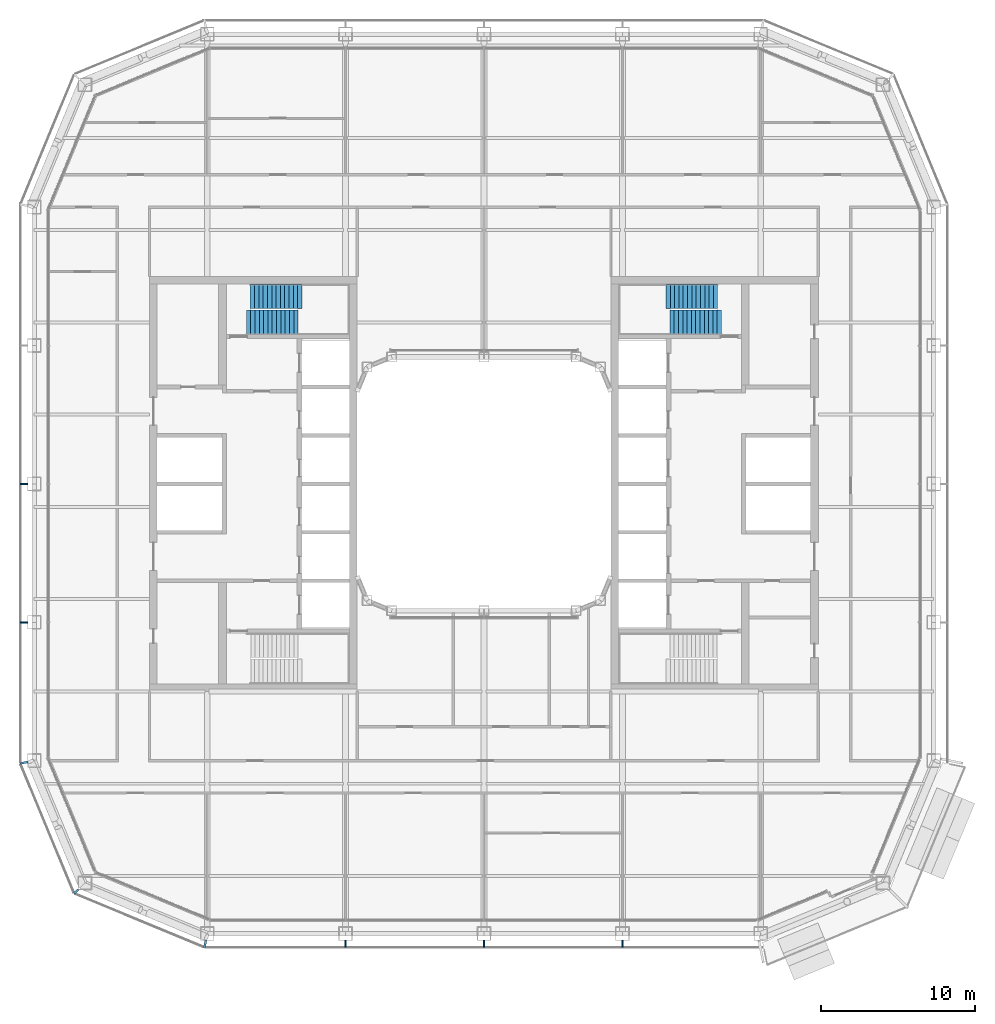
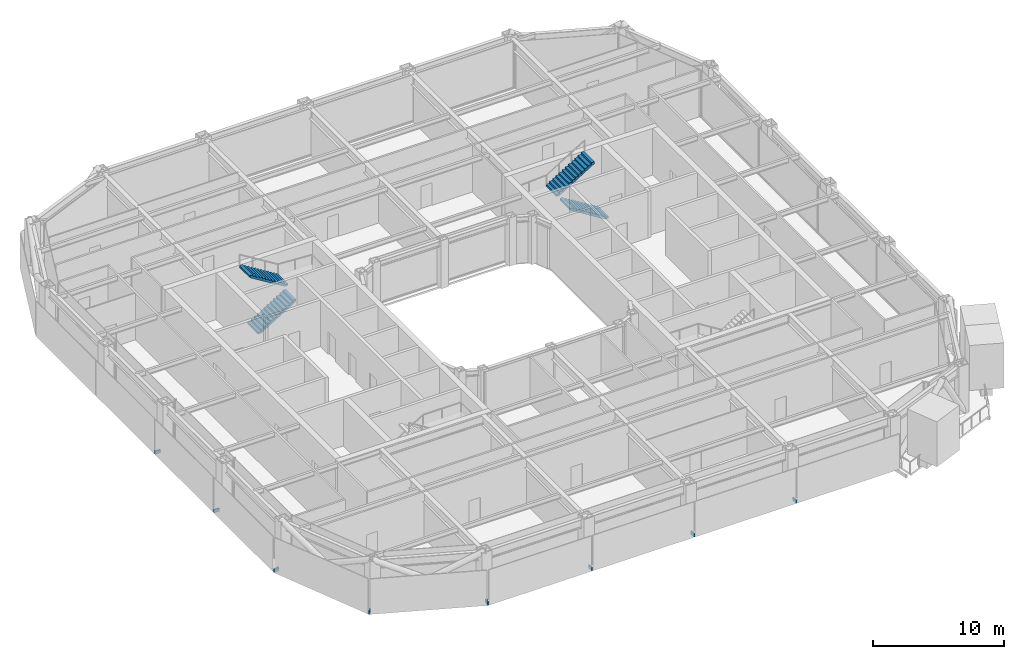
# One storey, part 15 of 23: 8 discrete accessories, 4 stair flights, 2 elements without a shape of their own.
"""IFC4 building model written with IfcOpenShell, lengths in metres."""

from ifc_helpers import new_model, si_unit, direction, frame, origin, origin_2d, place, context, subcontext, project, spatial, polyline, rectangle, outline, extrude, material, type_object, element, aggregate, save


model = new_model("IFC4")

# Units and contexts
model_context = context("Model", 3, precision=1e-05, world=origin(), true_north=direction((0.0, 1.0)))
body_context = subcontext(model_context, "Body", "Model", "MODEL_VIEW")
ifc_project = project(units=[si_unit("LENGTHUNIT", "METRE"), si_unit("AREAUNIT", "SQUARE_METRE"), si_unit("VOLUMEUNIT", "CUBIC_METRE"), si_unit("PLANEANGLEUNIT", "RADIAN"), si_unit("MASSUNIT", "GRAM", prefix="KILO")], contexts=[model_context])

# Site, building, storey
site_placement = place(None, origin())
site = spatial("IfcSite", under=ifc_project, at=site_placement, CompositionType="ELEMENT")
building_placement = place(site_placement, origin())
building = spatial("IfcBuilding", under=site, at=building_placement, Name="Siwar Civic Tower", CompositionType="ELEMENT")
storey_placement = place(building_placement, frame((0.0, 0.0, 163.199951171875)))
storey = spatial("IfcBuildingStorey", under=building, at=storey_placement, Name="L35", CompositionType="ELEMENT", Elevation=163.199951171875)

# Stair, stair flights
ifc_material_1 = material(Name="Concrete C40/50", Category="concrete")
stair_type = type_object("IfcStairType", Name="CORE-STAIR", PredefinedType="TWO_STRAIGHT_RUN_STAIR", material=ifc_material_1)
stair_1_placement = place(storey_placement, origin())
stair_1 = element("IfcStair", 1, at=stair_1_placement, inside=storey, type_object=stair_type, Name="Exit stair ST1", PredefinedType="TWO_STRAIGHT_RUN_STAIR")
ifc_material_2 = material(Name="Concrete C40/50", Category="concrete")
stair_flight_type = type_object("IfcStairFlightType", Name="CORE-STAIR-FLIGHT", PredefinedType="STRAIGHT", material=ifc_material_2)
stair_flight_1_placement = place(storey_placement, frame((-15.449951171875, 10.5, 0.0), z_axis=(0.0, 0.0, 1.0), x_axis=(1.0, 0.0, 0.0)))
stair_flight_1 = element("IfcStairFlight", 2, at=stair_flight_1_placement, type_object=stair_flight_type, Name="ST1 flight 1", NumberOfRisers=13, NumberOfTreads=12, PredefinedType="STRAIGHT", RiserHeight=0.173076923, TreadLength=0.28, context=body_context, shape_type="SweptSolid", body=[
    extrude(outline(polyline([(0.0, 0.0), (0.0, 0.173095703125), (0.280029296875, 0.173095703125), (0.280029296875, 0.34619140625), (0.56005859375, 0.34619140625), (0.56005859375, 0.519287109375), (0.840087890625, 0.519287109375), (0.840087890625, 0.6923828125), (1.1201171875, 0.6923828125), (1.1201171875, 0.865478515625), (1.39990234375, 0.865478515625), (1.39990234375, 1.03857421875), (1.679931640625, 1.03857421875), (1.679931640625, 1.21142578125), (1.9599609375, 1.21142578125), (1.9599609375, 1.384521484375), (2.239990234375, 1.384521484375), (2.239990234375, 1.5576171875), (2.52001953125, 1.5576171875), (2.52001953125, 1.730712890625), (2.800048828125, 1.730712890625), (2.800048828125, 1.90380859375), (3.080078125, 1.90380859375), (3.080078125, 2.076904296875), (3.360107421875, 2.076904296875), (3.360107421875, 2.25), (3.360107421875, 1.900634765625), (0.28515625, 0.0), (0.0, 0.0)])), frame((0.0, 0.800048828125, 0.0), z_axis=(0.0, -1.0, 0.0), x_axis=(1.0, 0.0, 0.0)), (0.0, 0.0, 1.0), 1.60009765625),
])
stair_flight_2_placement = place(storey_placement, frame((-11.840087890625, 12.199951171875, 2.25), z_axis=(0.0, 0.0, 1.0), x_axis=(-1.0, 0.0, 0.0)))
stair_flight_2 = element("IfcStairFlight", 3, at=stair_flight_2_placement, type_object=stair_flight_type, Name="ST1 flight 2", NumberOfRisers=13, NumberOfTreads=12, PredefinedType="STRAIGHT", RiserHeight=0.173076923, TreadLength=0.28, context=body_context, shape_type="SweptSolid", body=[
    extrude(outline(polyline([(0.0, 0.0), (0.0, 0.173095703125), (0.280029296875, 0.173095703125), (0.280029296875, 0.34619140625), (0.56005859375, 0.34619140625), (0.56005859375, 0.519287109375), (0.840087890625, 0.519287109375), (0.840087890625, 0.6923828125), (1.1201171875, 0.6923828125), (1.1201171875, 0.865478515625), (1.39990234375, 0.865478515625), (1.39990234375, 1.03857421875), (1.679931640625, 1.03857421875), (1.679931640625, 1.21142578125), (1.9599609375, 1.21142578125), (1.9599609375, 1.384521484375), (2.239990234375, 1.384521484375), (2.239990234375, 1.5576171875), (2.52001953125, 1.5576171875), (2.52001953125, 1.730712890625), (2.800048828125, 1.730712890625), (2.800048828125, 1.90380859375), (3.080078125, 1.90380859375), (3.080078125, 2.076904296875), (3.360107421875, 2.076904296875), (3.360107421875, 2.25), (3.360107421875, 1.900634765625), (0.28515625, 0.0), (0.0, 0.0)])), frame((0.0, 0.800048828125, 0.0), z_axis=(0.0, -1.0, 0.0), x_axis=(1.0, 0.0, 0.0)), (0.0, 0.0, 1.0), 1.60009765625),
])
aggregate(stair_1, [stair_flight_1, stair_flight_2])

stair_2_placement = place(storey_placement, origin())
stair_2 = element("IfcStair", 4, at=stair_2_placement, inside=storey, type_object=stair_type, Name="Exit stair ST3", PredefinedType="TWO_STRAIGHT_RUN_STAIR")
stair_flight_3_placement = place(storey_placement, frame((15.449951171875, 10.5, 0.0), z_axis=(0.0, 0.0, 1.0), x_axis=(-1.0, 0.0, 0.0)))
stair_flight_3 = element("IfcStairFlight", 5, at=stair_flight_3_placement, type_object=stair_flight_type, Name="ST3 flight 1", NumberOfRisers=13, NumberOfTreads=12, PredefinedType="STRAIGHT", RiserHeight=0.173076923, TreadLength=0.28, context=body_context, shape_type="SweptSolid", body=[
    extrude(outline(polyline([(0.0, 0.0), (0.0, 0.173095703125), (0.280029296875, 0.173095703125), (0.280029296875, 0.34619140625), (0.56005859375, 0.34619140625), (0.56005859375, 0.519287109375), (0.840087890625, 0.519287109375), (0.840087890625, 0.6923828125), (1.1201171875, 0.6923828125), (1.1201171875, 0.865478515625), (1.39990234375, 0.865478515625), (1.39990234375, 1.03857421875), (1.679931640625, 1.03857421875), (1.679931640625, 1.21142578125), (1.9599609375, 1.21142578125), (1.9599609375, 1.384521484375), (2.239990234375, 1.384521484375), (2.239990234375, 1.5576171875), (2.52001953125, 1.5576171875), (2.52001953125, 1.730712890625), (2.800048828125, 1.730712890625), (2.800048828125, 1.90380859375), (3.080078125, 1.90380859375), (3.080078125, 2.076904296875), (3.360107421875, 2.076904296875), (3.360107421875, 2.25), (3.360107421875, 1.900634765625), (0.28515625, 0.0), (0.0, 0.0)])), frame((0.0, 0.800048828125, 0.0), z_axis=(0.0, -1.0, 0.0), x_axis=(1.0, 0.0, 0.0)), (0.0, 0.0, 1.0), 1.60009765625),
])
stair_flight_4_placement = place(storey_placement, frame((11.840087890625, 12.199951171875, 2.25), z_axis=(0.0, 0.0, 1.0), x_axis=(1.0, 0.0, 0.0)))
stair_flight_4 = element("IfcStairFlight", 6, at=stair_flight_4_placement, type_object=stair_flight_type, Name="ST3 flight 2", NumberOfRisers=13, NumberOfTreads=12, PredefinedType="STRAIGHT", RiserHeight=0.173076923, TreadLength=0.28, context=body_context, shape_type="SweptSolid", body=[
    extrude(outline(polyline([(0.0, 0.0), (0.0, 0.173095703125), (0.280029296875, 0.173095703125), (0.280029296875, 0.34619140625), (0.56005859375, 0.34619140625), (0.56005859375, 0.519287109375), (0.840087890625, 0.519287109375), (0.840087890625, 0.6923828125), (1.1201171875, 0.6923828125), (1.1201171875, 0.865478515625), (1.39990234375, 0.865478515625), (1.39990234375, 1.03857421875), (1.679931640625, 1.03857421875), (1.679931640625, 1.21142578125), (1.9599609375, 1.21142578125), (1.9599609375, 1.384521484375), (2.239990234375, 1.384521484375), (2.239990234375, 1.5576171875), (2.52001953125, 1.5576171875), (2.52001953125, 1.730712890625), (2.800048828125, 1.730712890625), (2.800048828125, 1.90380859375), (3.080078125, 1.90380859375), (3.080078125, 2.076904296875), (3.360107421875, 2.076904296875), (3.360107421875, 2.25), (3.360107421875, 1.900634765625), (0.28515625, 0.0), (0.0, 0.0)])), frame((0.0, 0.800048828125, 0.0), z_axis=(0.0, -1.0, 0.0), x_axis=(1.0, 0.0, 0.0)), (0.0, 0.0, 1.0), 1.60009765625),
])
aggregate(stair_2, [stair_flight_3, stair_flight_4])

# Discrete accessories
ifc_material_3 = material(Name="Stainless steel 316", Category="steel")
discrete_accessory_type = type_object("IfcDiscreteAccessoryType", Name="ENV-BRACKET", PredefinedType="BRACKET", material=ifc_material_3)
for number, where, z_axis, x_axis, name in (
    (7, (-9.0, -29.9150390625, -0.14990234375), (0.0, 0.0, 1.0), (0.0, -1.0, 0.0), "Bracket outer skin joint S-01"),
    (8, (0.0, -29.9150390625, -0.14990234375), (0.0, 0.0, 1.0), (0.0, -1.0, 0.0), "Bracket outer skin joint S-02"),
    (9, (9.0, -29.9150390625, -0.14990234375), (0.0, 0.0, 1.0), (0.0, -1.0, 0.0), "Bracket outer skin joint S-03"),
):
    element("IfcDiscreteAccessory", number, at=place(storey_placement, frame(where, z_axis=z_axis, x_axis=x_axis)), inside=storey, type_object=discrete_accessory_type, Name=name, PredefinedType="BRACKET", context=body_context, shape_type="SweptSolid", body=[
        extrude(rectangle(XDim=0.469970703125, YDim=0.10009765625, at=origin_2d()), origin(), (0.0, 0.0, 1.0), 0.300048828125),
    ])
for number, where, z_axis, x_axis, name in (
    (10, (-18.13232421875, -29.915283203125, -0.14990234375), (0.0, 0.0, 1.0), (-0.195090322016, -0.980785280403, 0.0), "Bracket outer skin joint V00"),
    (11, (-29.915283203125, -18.13232421875, -0.14990234375), (0.0, 0.0, 1.0), (-0.980785280403, -0.195090322016, 0.0), "Bracket outer skin joint V10"),
):
    element("IfcDiscreteAccessory", number, at=place(storey_placement, frame(where, z_axis=z_axis, x_axis=x_axis)), inside=storey, type_object=discrete_accessory_type, Name=name, PredefinedType="BRACKET", context=body_context, shape_type="SweptSolid", body=[
        extrude(rectangle(XDim=0.478759765625, YDim=0.13720703125, at=origin_2d()), origin(), (0.0, 0.0, 1.0), 0.300048828125),
    ])
discrete_accessory_placement = place(storey_placement, frame((-26.517333984375, -26.517333984375, -0.14990234375), z_axis=(0.0, 0.0, 1.0), x_axis=(-0.707106781187, -0.707106781187, 0.0)))
element("IfcDiscreteAccessory", 12, at=discrete_accessory_placement, inside=storey, type_object=discrete_accessory_type, Name="Bracket outer skin joint V11", PredefinedType="BRACKET", context=body_context, shape_type="SweptSolid", body=[
    extrude(rectangle(XDim=0.357666015625, YDim=0.12939453125, at=origin_2d()), origin(), (0.0, 0.0, 1.0), 0.300048828125),
])
for number, where, z_axis, x_axis, name in (
    (13, (-29.9150390625, 0.0, -0.14990234375), (0.0, 0.0, 1.0), (-1.0, 0.0, 0.0), "Bracket outer skin joint W-02"),
    (14, (-29.9150390625, -9.0, -0.14990234375), (0.0, 0.0, 1.0), (-1.0, 0.0, 0.0), "Bracket outer skin joint W-03"),
):
    element("IfcDiscreteAccessory", number, at=place(storey_placement, frame(where, z_axis=z_axis, x_axis=x_axis)), inside=storey, type_object=discrete_accessory_type, Name=name, PredefinedType="BRACKET", context=body_context, shape_type="SweptSolid", body=[
        extrude(rectangle(XDim=0.469970703125, YDim=0.10009765625, at=origin_2d()), origin(), (0.0, 0.0, 1.0), 0.300048828125),
    ])

save(model, "model.ifc")
